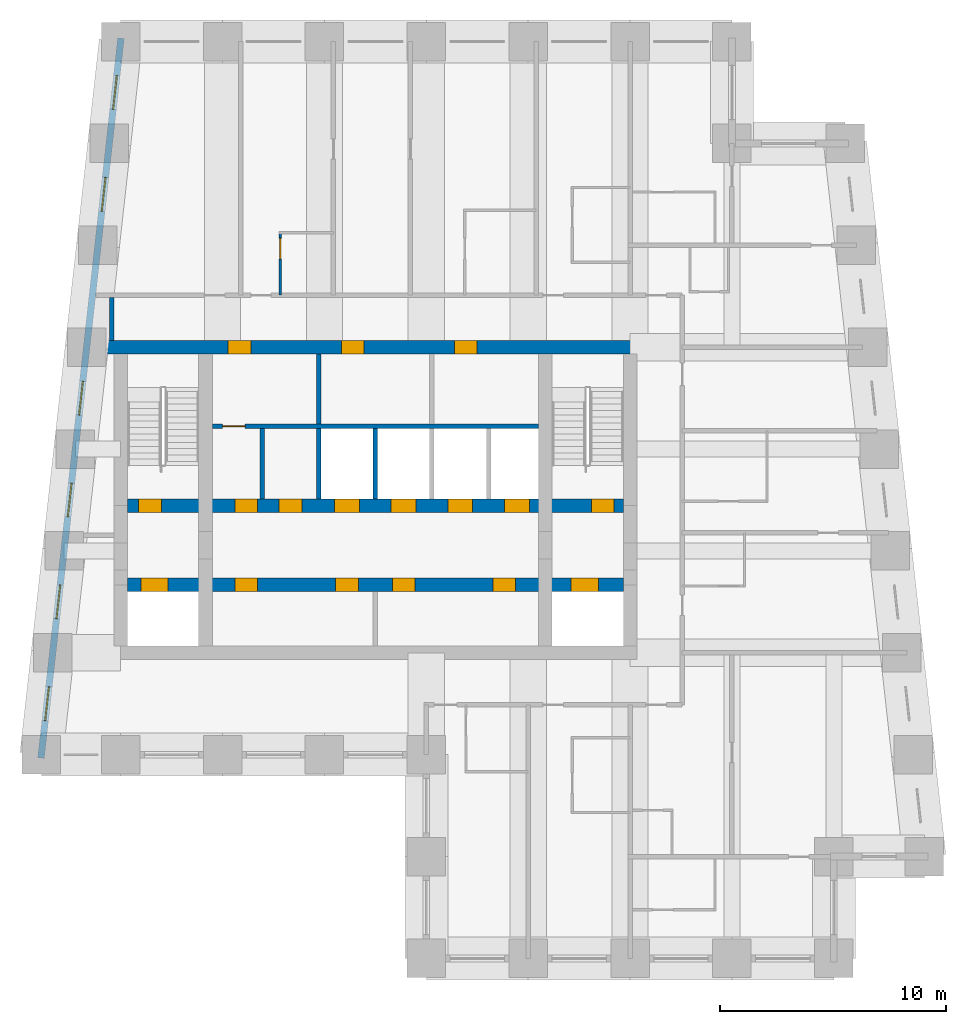
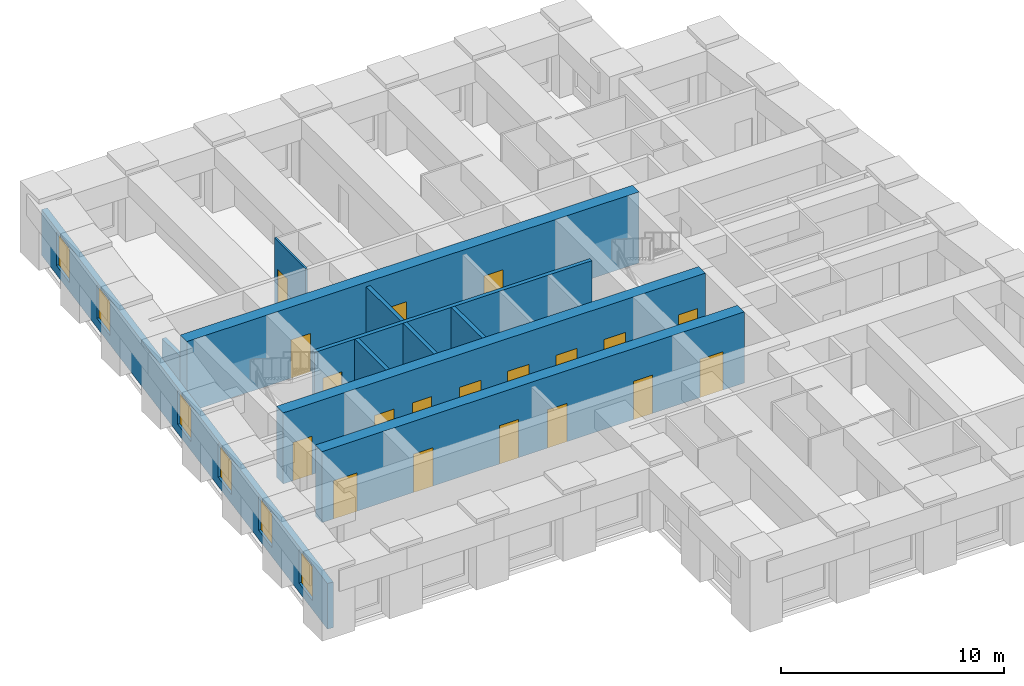
# One storey, part 3 of 7: 19 doors, 11 walls, 6 windows, 25 openings.
"""IFC4 building model written with IfcOpenShell, lengths in metres."""

from ifc_helpers import new_model, si_unit, direction, frame, frame_2d, origin, place, context, subcontext, project, spatial, rectangle, extrude, material, layer, layer_set, type_object, element, fill, save


model = new_model("IFC4")

# Units and contexts
model_context = context("Model", 3, precision=1e-05, world=origin(), true_north=direction((0.0, 1.0)))
body_context = subcontext(model_context, "Body", "Model", "MODEL_VIEW")
ifc_project = project(units=[si_unit("LENGTHUNIT", "METRE"), si_unit("AREAUNIT", "SQUARE_METRE"), si_unit("VOLUMEUNIT", "CUBIC_METRE"), si_unit("PLANEANGLEUNIT", "RADIAN"), si_unit("MASSUNIT", "GRAM", prefix="KILO")], contexts=[model_context])

# Site, building, storey
site_placement = place(None, origin())
site = spatial("IfcSite", under=ifc_project, at=site_placement, CompositionType="ELEMENT")
building_placement = place(site_placement, origin())
building = spatial("IfcBuilding", under=site, at=building_placement, Name="Kilele Tower Hotel", CompositionType="ELEMENT")
storey_placement = place(building_placement, frame((0.0, 0.0, 233.0)))
storey = spatial("IfcBuildingStorey", under=building, at=storey_placement, Name="L60", CompositionType="ELEMENT", Elevation=233.0)

# Wall, opening, door
ifc_material_1 = material(Name="Moisture-resistant board")
ifc_layer_1 = layer(ifc_material_1, 0.10009765625)
ifc_layer_set_1 = layer_set([ifc_layer_1], Name="Moisture-resistant board")
wall_type_1 = type_object("IfcWallType", Name="Bathroom partition 100", PredefinedType="PLUMBINGWALL", material=ifc_layer_set_1)
wall_1_placement = place(storey_placement, frame((20.550048828125, 29.300048828125, 0.0), z_axis=(0.0, 0.0, 1.0), x_axis=(0.0, 1.0, 0.0)))
wall_1 = element("IfcWall", 1, at=wall_1_placement, inside=storey, type_object=wall_type_1, Name="Bathroom partition 100 L60", PredefinedType="PLUMBINGWALL", context=body_context, shape_type="SweptSolid", body=[
    extrude(rectangle(XDim=2.800048828125, YDim=0.10009765625, at=frame_2d((1.39990234375, 0.0))), origin(), (0.0, 0.0, 1.0), 3.64990234375),
])
opening_1_placement = place(wall_1_placement, frame((1.60009765625, 0.0, 0.0)))
opening_1 = element("IfcOpeningElement", 2, at=opening_1_placement, cuts=wall_1, Name="Opening D2A", PredefinedType="OPENING", context=body_context, shape_type="SweptSolid", body=[
    extrude(rectangle(XDim=0.89990234375, YDim=2.10009765625, at=frame_2d((0.449951171875, 1.050048828125))), frame((0.0, 0.06005859375, 0.0), z_axis=(0.0, -1.0, 0.0), x_axis=(1.0, 0.0, 0.0)), (0.0, 0.0, 1.0), 0.1201171875),
])
ifc_material_2 = material(Name="Timber door leaf in hardwood frame", Category="wood")
door_type_1 = type_object("IfcDoorType", Name="Bathroom door 900", OperationType="SINGLE_SWING_LEFT", PredefinedType="DOOR", material=ifc_material_2)
door_1_placement = place(opening_1_placement, origin())
door_1 = element("IfcDoor", 3, at=door_1_placement, inside=storey, type_object=door_type_1, Name="Bathroom door 6008B", OperationType="SINGLE_SWING_LEFT", OverallHeight=2.10009765625, OverallWidth=0.89990234375, PredefinedType="DOOR", context=body_context, shape_type="SweptSolid", body=[
    extrude(rectangle(XDim=0.89990234375, YDim=2.10009765625, at=frame_2d((0.449951171875, 1.050048828125))), frame((0.0, 0.02490234375, 0.0), z_axis=(0.0, -1.0, 0.0), x_axis=(1.0, 0.0, 0.0)), (0.0, 0.0, 1.0), 0.050048828125),
])
fill(opening_1, door_1)

# Wall, openings, doors
ifc_material_3 = material(Name="Concrete C60/75", Category="concrete")
ifc_layer_2 = layer(ifc_material_3, 0.60009765625)
ifc_layer_set_2 = layer_set([ifc_layer_2], Name="Concrete C60/75")
wall_type_2 = type_object("IfcWallType", Name="Core wall 600 C60/75", PredefinedType="SHEAR", material=ifc_layer_set_2)
wall_2_placement = place(storey_placement, frame((36.300048828125, 27.0, 0.0), z_axis=(0.0, 0.0, 1.0), x_axis=(-1.0, 0.0, 0.0)))
wall_2 = element("IfcWall", 4, at=wall_2_placement, inside=storey, type_object=wall_type_2, Name="Core wall N L60", PredefinedType="SHEAR", context=body_context, shape_type="SweptSolid", body=[
    extrude(rectangle(XDim=23.449951171875, YDim=0.60009765625, at=frame_2d((11.72509765625, 0.0))), origin(), (0.0, 0.0, 1.0), 3.89990234375),
])
opening_2_placement = place(wall_2_placement, frame((17.050048828125, 0.0, 0.0)))
opening_2 = element("IfcOpeningElement", 5, at=opening_2_placement, cuts=wall_2, Name="Opening D12", PredefinedType="OPENING", context=body_context, shape_type="SweptSolid", body=[
    extrude(rectangle(XDim=1.0, YDim=2.10009765625, at=frame_2d((0.5, 1.050048828125))), frame((0.0, 0.31005859375, 0.0), z_axis=(0.0, -1.0, 0.0), x_axis=(1.0, 0.0, 0.0)), (0.0, 0.0, 1.0), 0.6201171875),
])
opening_3_placement = place(wall_2_placement, frame((12.050048828125, 0.0, 0.0)))
opening_3 = element("IfcOpeningElement", 6, at=opening_3_placement, cuts=wall_2, Name="Opening D6", PredefinedType="OPENING", context=body_context, shape_type="SweptSolid", body=[
    extrude(rectangle(XDim=1.0, YDim=2.10009765625, at=frame_2d((0.5, 1.050048828125))), frame((0.0, 0.31005859375, 0.0), z_axis=(0.0, -1.0, 0.0), x_axis=(1.0, 0.0, 0.0)), (0.0, 0.0, 1.0), 0.6201171875),
])
opening_4_placement = place(wall_2_placement, frame((7.050048828125, 0.0, 0.0)))
opening_4 = element("IfcOpeningElement", 7, at=opening_4_placement, cuts=wall_2, Name="Opening D6", PredefinedType="OPENING", context=body_context, shape_type="SweptSolid", body=[
    extrude(rectangle(XDim=1.0, YDim=2.10009765625, at=frame_2d((0.5, 1.050048828125))), frame((0.0, 0.31005859375, 0.0), z_axis=(0.0, -1.0, 0.0), x_axis=(1.0, 0.0, 0.0)), (0.0, 0.0, 1.0), 0.6201171875),
])
ifc_material_4 = material(Name="Timber door leaf in hardwood frame", Category="wood")
door_type_2 = type_object("IfcDoorType", Name="Core lobby door 1000", OperationType="SINGLE_SWING_LEFT", PredefinedType="DOOR", material=ifc_material_4)
door_2_placement = place(opening_2_placement, origin())
door_2 = element("IfcDoor", 8, at=door_2_placement, inside=storey, type_object=door_type_2, Name="North lobby door L60", OperationType="SINGLE_SWING_RIGHT", OverallHeight=2.10009765625, OverallWidth=1.0, PredefinedType="DOOR", context=body_context, shape_type="SweptSolid", body=[
    extrude(rectangle(XDim=1.0, YDim=2.10009765625, at=frame_2d((0.5, 1.050048828125))), frame((0.0, 0.2998046875, 0.0), z_axis=(0.0, -1.0, 0.0), x_axis=(1.0, 0.0, 0.0)), (0.0, 0.0, 1.0), 0.599609375),
])
fill(opening_2, door_2)
ifc_material_5 = material(Name="Timber door leaf in hardwood frame", Category="wood")
door_type_3 = type_object("IfcDoorType", Name="Riser door 1000", OperationType="SINGLE_SWING_LEFT", PredefinedType="DOOR", material=ifc_material_5)
door_3_placement = place(opening_3_placement, origin())
door_3 = element("IfcDoor", 9, at=door_3_placement, inside=storey, type_object=door_type_3, Name="IT and comms room door L60", OperationType="SINGLE_SWING_RIGHT", OverallHeight=2.10009765625, OverallWidth=1.0, PredefinedType="DOOR", context=body_context, shape_type="SweptSolid", body=[
    extrude(rectangle(XDim=1.0, YDim=2.10009765625, at=frame_2d((0.5, 1.050048828125))), frame((0.0, 0.2998046875, 0.0), z_axis=(0.0, -1.0, 0.0), x_axis=(1.0, 0.0, 0.0)), (0.0, 0.0, 1.0), 0.599609375),
])
fill(opening_3, door_3)
door_4_placement = place(opening_4_placement, origin())
door_4 = element("IfcDoor", 10, at=door_4_placement, inside=storey, type_object=door_type_3, Name="Electrical riser door L60", OperationType="SINGLE_SWING_RIGHT", OverallHeight=2.10009765625, OverallWidth=1.0, PredefinedType="DOOR", context=body_context, shape_type="SweptSolid", body=[
    extrude(rectangle(XDim=1.0, YDim=2.10009765625, at=frame_2d((0.5, 1.050048828125))), frame((0.0, 0.2998046875, 0.0), z_axis=(0.0, -1.0, 0.0), x_axis=(1.0, 0.0, 0.0)), (0.0, 0.0, 1.0), 0.599609375),
])
fill(opening_4, door_4)

wall_3_placement = place(storey_placement, frame((13.800048828125, 16.5, 0.0), z_axis=(0.0, 0.0, 1.0), x_axis=(1.0, 0.0, 0.0)))
wall_3 = element("IfcWall", 11, at=wall_3_placement, inside=storey, type_object=wall_type_2, Name="Core wall LS L60", PredefinedType="SHEAR", context=body_context, shape_type="SweptSolid", body=[
    extrude(rectangle(XDim=21.89990234375, YDim=0.60009765625, at=frame_2d((10.949951171875, 0.0))), origin(), (0.0, 0.0, 1.0), 3.89990234375),
])
opening_5_placement = place(wall_3_placement, frame((5.75, 0.0, 0.0), z_axis=(0.0, 0.0, 1.0), x_axis=(-1.0, 0.0, 0.0)))
opening_5 = element("IfcOpeningElement", 12, at=opening_5_placement, cuts=wall_3, Name="Opening D11", PredefinedType="OPENING", context=body_context, shape_type="SweptSolid", body=[
    extrude(rectangle(XDim=1.0, YDim=2.10009765625, at=frame_2d((0.5, 1.050048828125))), frame((0.0, 0.31005859375, 0.0), z_axis=(0.0, -1.0, 0.0), x_axis=(1.0, 0.0, 0.0)), (0.0, 0.0, 1.0), 0.6201171875),
])
opening_6_placement = place(wall_3_placement, frame((10.199951171875, 0.0, 0.0), z_axis=(0.0, 0.0, 1.0), x_axis=(-1.0, 0.0, 0.0)))
opening_6 = element("IfcOpeningElement", 13, at=opening_6_placement, cuts=wall_3, Name="Opening D11", PredefinedType="OPENING", context=body_context, shape_type="SweptSolid", body=[
    extrude(rectangle(XDim=1.0, YDim=2.10009765625, at=frame_2d((0.5, 1.050048828125))), frame((0.0, 0.31005859375, 0.0), z_axis=(0.0, -1.0, 0.0), x_axis=(1.0, 0.0, 0.0)), (0.0, 0.0, 1.0), 0.6201171875),
])
opening_7_placement = place(wall_3_placement, frame((12.699951171875, 0.0, 0.0), z_axis=(0.0, 0.0, 1.0), x_axis=(-1.0, 0.0, 0.0)))
opening_7 = element("IfcOpeningElement", 14, at=opening_7_placement, cuts=wall_3, Name="Opening D11", PredefinedType="OPENING", context=body_context, shape_type="SweptSolid", body=[
    extrude(rectangle(XDim=1.0, YDim=2.10009765625, at=frame_2d((0.5, 1.050048828125))), frame((0.0, 0.31005859375, 0.0), z_axis=(0.0, -1.0, 0.0), x_axis=(1.0, 0.0, 0.0)), (0.0, 0.0, 1.0), 0.6201171875),
])
opening_8_placement = place(wall_3_placement, frame((17.14990234375, 0.0, 0.0), z_axis=(0.0, 0.0, 1.0), x_axis=(-1.0, 0.0, 0.0)))
opening_8 = element("IfcOpeningElement", 15, at=opening_8_placement, cuts=wall_3, Name="Opening D11", PredefinedType="OPENING", context=body_context, shape_type="SweptSolid", body=[
    extrude(rectangle(XDim=1.0, YDim=2.10009765625, at=frame_2d((0.5, 1.050048828125))), frame((0.0, 0.31005859375, 0.0), z_axis=(0.0, -1.0, 0.0), x_axis=(1.0, 0.0, 0.0)), (0.0, 0.0, 1.0), 0.6201171875),
])
opening_9_placement = place(wall_3_placement, frame((0.60009765625, 0.0, 0.0)))
opening_9 = element("IfcOpeningElement", 16, at=opening_9_placement, cuts=wall_3, Name="Opening LD2", PredefinedType="OPENING", context=body_context, shape_type="SweptSolid", body=[
    extrude(rectangle(XDim=1.199951171875, YDim=2.10009765625, at=frame_2d((0.60009765625, 1.050048828125))), frame((0.0, 0.31005859375, 0.0), z_axis=(0.0, -1.0, 0.0), x_axis=(1.0, 0.0, 0.0)), (0.0, 0.0, 1.0), 0.6201171875),
])
opening_10_placement = place(wall_3_placement, frame((19.60009765625, 0.0, 0.0)))
opening_10 = element("IfcOpeningElement", 17, at=opening_10_placement, cuts=wall_3, Name="Opening LD2", PredefinedType="OPENING", context=body_context, shape_type="SweptSolid", body=[
    extrude(rectangle(XDim=1.199951171875, YDim=2.10009765625, at=frame_2d((0.60009765625, 1.050048828125))), frame((0.0, 0.31005859375, 0.0), z_axis=(0.0, -1.0, 0.0), x_axis=(1.0, 0.0, 0.0)), (0.0, 0.0, 1.0), 0.6201171875),
])
ifc_material_6 = material(Name="Timber door leaf in hardwood frame", Category="wood")
door_type_4 = type_object("IfcDoorType", Name="Core store door 1000", OperationType="SINGLE_SWING_LEFT", PredefinedType="DOOR", material=ifc_material_6)
door_5_placement = place(opening_5_placement, origin())
door_5 = element("IfcDoor", 18, at=door_5_placement, inside=storey, type_object=door_type_4, Name="Core room door L1 L60", OperationType="SINGLE_SWING_RIGHT", OverallHeight=2.10009765625, OverallWidth=1.0, PredefinedType="DOOR", context=body_context, shape_type="SweptSolid", body=[
    extrude(rectangle(XDim=1.0, YDim=2.10009765625, at=frame_2d((0.5, 1.050048828125))), frame((0.0, 0.2998046875, 0.0), z_axis=(0.0, -1.0, 0.0), x_axis=(1.0, 0.0, 0.0)), (0.0, 0.0, 1.0), 0.599609375),
])
fill(opening_5, door_5)
door_6_placement = place(opening_6_placement, origin())
door_6 = element("IfcDoor", 19, at=door_6_placement, inside=storey, type_object=door_type_4, Name="Core room door L3 L60", OperationType="SINGLE_SWING_LEFT", OverallHeight=2.10009765625, OverallWidth=1.0, PredefinedType="DOOR", context=body_context, shape_type="SweptSolid", body=[
    extrude(rectangle(XDim=1.0, YDim=2.10009765625, at=frame_2d((0.5, 1.050048828125))), frame((0.0, 0.2998046875, 0.0), z_axis=(0.0, -1.0, 0.0), x_axis=(1.0, 0.0, 0.0)), (0.0, 0.0, 1.0), 0.599609375),
])
fill(opening_6, door_6)
door_7_placement = place(opening_7_placement, origin())
door_7 = element("IfcDoor", 20, at=door_7_placement, inside=storey, type_object=door_type_4, Name="Core room door M1 L60", OperationType="SINGLE_SWING_RIGHT", OverallHeight=2.10009765625, OverallWidth=1.0, PredefinedType="DOOR", context=body_context, shape_type="SweptSolid", body=[
    extrude(rectangle(XDim=1.0, YDim=2.10009765625, at=frame_2d((0.5, 1.050048828125))), frame((0.0, 0.2998046875, 0.0), z_axis=(0.0, -1.0, 0.0), x_axis=(1.0, 0.0, 0.0)), (0.0, 0.0, 1.0), 0.599609375),
])
fill(opening_7, door_7)
door_8_placement = place(opening_8_placement, origin())
door_8 = element("IfcDoor", 21, at=door_8_placement, inside=storey, type_object=door_type_4, Name="Core room door M3 L60", OperationType="SINGLE_SWING_LEFT", OverallHeight=2.10009765625, OverallWidth=1.0, PredefinedType="DOOR", context=body_context, shape_type="SweptSolid", body=[
    extrude(rectangle(XDim=1.0, YDim=2.10009765625, at=frame_2d((0.5, 1.050048828125))), frame((0.0, 0.2998046875, 0.0), z_axis=(0.0, -1.0, 0.0), x_axis=(1.0, 0.0, 0.0)), (0.0, 0.0, 1.0), 0.599609375),
])
fill(opening_8, door_8)
ifc_material_7 = material(Name="Steel lift landing door", Category="steel")
door_type_5 = type_object("IfcDoorType", Name="Firefighting lift landing door 1200", OperationType="SLIDING_TO_LEFT", PredefinedType="DOOR", material=ifc_material_7)
door_9_placement = place(opening_9_placement, origin())
door_9 = element("IfcDoor", 22, at=door_9_placement, inside=storey, type_object=door_type_5, Name="Landing door FFW L60", OperationType="SLIDING_TO_LEFT", OverallHeight=2.10009765625, OverallWidth=1.199951171875, PredefinedType="DOOR", context=body_context, shape_type="SweptSolid", body=[
    extrude(rectangle(XDim=1.199951171875, YDim=2.10009765625, at=frame_2d((0.60009765625, 1.050048828125))), frame((0.0, 0.2998046875, 0.0), z_axis=(0.0, -1.0, 0.0), x_axis=(1.0, 0.0, 0.0)), (0.0, 0.0, 1.0), 0.599609375),
])
fill(opening_9, door_9)
door_10_placement = place(opening_10_placement, origin())
door_10 = element("IfcDoor", 23, at=door_10_placement, inside=storey, type_object=door_type_5, Name="Landing door FFE L60", OperationType="SLIDING_TO_LEFT", OverallHeight=2.10009765625, OverallWidth=1.199951171875, PredefinedType="DOOR", context=body_context, shape_type="SweptSolid", body=[
    extrude(rectangle(XDim=1.199951171875, YDim=2.10009765625, at=frame_2d((0.60009765625, 1.050048828125))), frame((0.0, 0.2998046875, 0.0), z_axis=(0.0, -1.0, 0.0), x_axis=(1.0, 0.0, 0.0)), (0.0, 0.0, 1.0), 0.599609375),
])
fill(opening_10, door_10)

wall_4_placement = place(storey_placement, frame((13.800048828125, 20.0, 0.0), z_axis=(0.0, 0.0, 1.0), x_axis=(1.0, 0.0, 0.0)))
wall_4 = element("IfcWall", 24, at=wall_4_placement, inside=storey, type_object=wall_type_2, Name="Core wall LN L60", PredefinedType="SHEAR", context=body_context, shape_type="SweptSolid", body=[
    extrude(rectangle(XDim=21.89990234375, YDim=0.60009765625, at=frame_2d((10.949951171875, 0.0))), origin(), (0.0, 0.0, 1.0), 3.89990234375),
])
opening_11_placement = place(wall_4_placement, frame((0.5, 0.0, 0.0)))
opening_11 = element("IfcOpeningElement", 25, at=opening_11_placement, cuts=wall_4, Name="Opening D5", PredefinedType="OPENING", context=body_context, shape_type="SweptSolid", body=[
    extrude(rectangle(XDim=1.0, YDim=2.10009765625, at=frame_2d((0.5, 1.050048828125))), frame((0.0, 0.31005859375, 0.0), z_axis=(0.0, -1.0, 0.0), x_axis=(1.0, 0.0, 0.0)), (0.0, 0.0, 1.0), 0.6201171875),
])
opening_12_placement = place(wall_4_placement, frame((20.5, 0.0, 0.0)))
opening_12 = element("IfcOpeningElement", 26, at=opening_12_placement, cuts=wall_4, Name="Opening D5", PredefinedType="OPENING", context=body_context, shape_type="SweptSolid", body=[
    extrude(rectangle(XDim=1.0, YDim=2.10009765625, at=frame_2d((0.5, 1.050048828125))), frame((0.0, 0.31005859375, 0.0), z_axis=(0.0, -1.0, 0.0), x_axis=(1.0, 0.0, 0.0)), (0.0, 0.0, 1.0), 0.6201171875),
])
opening_13_placement = place(wall_4_placement, frame((9.14990234375, 0.0, 0.0)))
opening_13 = element("IfcOpeningElement", 27, at=opening_13_placement, cuts=wall_4, Name="Opening LD1", PredefinedType="OPENING", context=body_context, shape_type="SweptSolid", body=[
    extrude(rectangle(XDim=1.10009765625, YDim=2.10009765625, at=frame_2d((0.550048828125, 1.050048828125))), frame((0.0, 0.31005859375, 0.0), z_axis=(0.0, -1.0, 0.0), x_axis=(1.0, 0.0, 0.0)), (0.0, 0.0, 1.0), 0.6201171875),
])
opening_14_placement = place(wall_4_placement, frame((11.64990234375, 0.0, 0.0)))
opening_14 = element("IfcOpeningElement", 28, at=opening_14_placement, cuts=wall_4, Name="Opening LD1", PredefinedType="OPENING", context=body_context, shape_type="SweptSolid", body=[
    extrude(rectangle(XDim=1.10009765625, YDim=2.10009765625, at=frame_2d((0.550048828125, 1.050048828125))), frame((0.0, 0.31005859375, 0.0), z_axis=(0.0, -1.0, 0.0), x_axis=(1.0, 0.0, 0.0)), (0.0, 0.0, 1.0), 0.6201171875),
])
opening_15_placement = place(wall_4_placement, frame((14.14990234375, 0.0, 0.0)))
opening_15 = element("IfcOpeningElement", 29, at=opening_15_placement, cuts=wall_4, Name="Opening LD1", PredefinedType="OPENING", context=body_context, shape_type="SweptSolid", body=[
    extrude(rectangle(XDim=1.10009765625, YDim=2.10009765625, at=frame_2d((0.550048828125, 1.050048828125))), frame((0.0, 0.31005859375, 0.0), z_axis=(0.0, -1.0, 0.0), x_axis=(1.0, 0.0, 0.0)), (0.0, 0.0, 1.0), 0.6201171875),
])
opening_16_placement = place(wall_4_placement, frame((16.64990234375, 0.0, 0.0)))
opening_16 = element("IfcOpeningElement", 30, at=opening_16_placement, cuts=wall_4, Name="Opening LD1", PredefinedType="OPENING", context=body_context, shape_type="SweptSolid", body=[
    extrude(rectangle(XDim=1.10009765625, YDim=2.10009765625, at=frame_2d((0.550048828125, 1.050048828125))), frame((0.0, 0.31005859375, 0.0), z_axis=(0.0, -1.0, 0.0), x_axis=(1.0, 0.0, 0.0)), (0.0, 0.0, 1.0), 0.6201171875),
])
opening_17_placement = place(wall_4_placement, frame((5.75, 0.0, 0.0), z_axis=(0.0, 0.0, 1.0), x_axis=(-1.0, 0.0, 0.0)))
opening_17 = element("IfcOpeningElement", 31, at=opening_17_placement, cuts=wall_4, Name="Opening D12", PredefinedType="OPENING", context=body_context, shape_type="SweptSolid", body=[
    extrude(rectangle(XDim=1.0, YDim=2.10009765625, at=frame_2d((0.5, 1.050048828125))), frame((0.0, 0.31005859375, 0.0), z_axis=(0.0, -1.0, 0.0), x_axis=(1.0, 0.0, 0.0)), (0.0, 0.0, 1.0), 0.6201171875),
])
opening_18_placement = place(wall_4_placement, frame((6.699951171875, 0.0, 0.0)))
opening_18 = element("IfcOpeningElement", 32, at=opening_18_placement, cuts=wall_4, Name="Opening D11", PredefinedType="OPENING", context=body_context, shape_type="SweptSolid", body=[
    extrude(rectangle(XDim=1.0, YDim=2.10009765625, at=frame_2d((0.5, 1.050048828125))), frame((0.0, 0.31005859375, 0.0), z_axis=(0.0, -1.0, 0.0), x_axis=(1.0, 0.0, 0.0)), (0.0, 0.0, 1.0), 0.6201171875),
])
door_11_placement = place(opening_17_placement, origin())
door_11 = element("IfcDoor", 33, at=door_11_placement, inside=storey, type_object=door_type_2, Name="Core passage door L60", OperationType="SINGLE_SWING_RIGHT", OverallHeight=2.10009765625, OverallWidth=1.0, PredefinedType="DOOR", context=body_context, shape_type="SweptSolid", body=[
    extrude(rectangle(XDim=1.0, YDim=2.10009765625, at=frame_2d((0.5, 1.050048828125))), frame((0.0, 0.2998046875, 0.0), z_axis=(0.0, -1.0, 0.0), x_axis=(1.0, 0.0, 0.0)), (0.0, 0.0, 1.0), 0.599609375),
])
fill(opening_17, door_11)
door_12_placement = place(opening_18_placement, origin())
door_12 = element("IfcDoor", 34, at=door_12_placement, inside=storey, type_object=door_type_4, Name="Core room door S2 L60", OperationType="SINGLE_SWING_LEFT", OverallHeight=2.10009765625, OverallWidth=1.0, PredefinedType="DOOR", context=body_context, shape_type="SweptSolid", body=[
    extrude(rectangle(XDim=1.0, YDim=2.10009765625, at=frame_2d((0.5, 1.050048828125))), frame((0.0, 0.2998046875, 0.0), z_axis=(0.0, -1.0, 0.0), x_axis=(1.0, 0.0, 0.0)), (0.0, 0.0, 1.0), 0.599609375),
])
fill(opening_18, door_12)
ifc_material_8 = material(Name="Steel lift landing door", Category="steel")
door_type_6 = type_object("IfcDoorType", Name="Lift landing door 1100", OperationType="SLIDING_TO_LEFT", PredefinedType="DOOR", material=ifc_material_8)
door_13_placement = place(opening_13_placement, origin())
door_13 = element("IfcDoor", 35, at=door_13_placement, inside=storey, type_object=door_type_6, Name="Landing door H1 L60", OperationType="SLIDING_TO_LEFT", OverallHeight=2.10009765625, OverallWidth=1.10009765625, PredefinedType="DOOR", context=body_context, shape_type="SweptSolid", body=[
    extrude(rectangle(XDim=1.10009765625, YDim=2.10009765625, at=frame_2d((0.550048828125, 1.050048828125))), frame((0.0, 0.2998046875, 0.0), z_axis=(0.0, -1.0, 0.0), x_axis=(1.0, 0.0, 0.0)), (0.0, 0.0, 1.0), 0.599609375),
])
fill(opening_13, door_13)
door_14_placement = place(opening_14_placement, origin())
door_14 = element("IfcDoor", 36, at=door_14_placement, inside=storey, type_object=door_type_6, Name="Landing door H2 L60", OperationType="SLIDING_TO_LEFT", OverallHeight=2.10009765625, OverallWidth=1.10009765625, PredefinedType="DOOR", context=body_context, shape_type="SweptSolid", body=[
    extrude(rectangle(XDim=1.10009765625, YDim=2.10009765625, at=frame_2d((0.550048828125, 1.050048828125))), frame((0.0, 0.2998046875, 0.0), z_axis=(0.0, -1.0, 0.0), x_axis=(1.0, 0.0, 0.0)), (0.0, 0.0, 1.0), 0.599609375),
])
fill(opening_14, door_14)
door_15_placement = place(opening_15_placement, origin())
door_15 = element("IfcDoor", 37, at=door_15_placement, inside=storey, type_object=door_type_6, Name="Landing door H3 L60", OperationType="SLIDING_TO_LEFT", OverallHeight=2.10009765625, OverallWidth=1.10009765625, PredefinedType="DOOR", context=body_context, shape_type="SweptSolid", body=[
    extrude(rectangle(XDim=1.10009765625, YDim=2.10009765625, at=frame_2d((0.550048828125, 1.050048828125))), frame((0.0, 0.2998046875, 0.0), z_axis=(0.0, -1.0, 0.0), x_axis=(1.0, 0.0, 0.0)), (0.0, 0.0, 1.0), 0.599609375),
])
fill(opening_15, door_15)
door_16_placement = place(opening_16_placement, origin())
door_16 = element("IfcDoor", 38, at=door_16_placement, inside=storey, type_object=door_type_6, Name="Landing door G1 L60", OperationType="SLIDING_TO_LEFT", OverallHeight=2.10009765625, OverallWidth=1.10009765625, PredefinedType="DOOR", context=body_context, shape_type="SweptSolid", body=[
    extrude(rectangle(XDim=1.10009765625, YDim=2.10009765625, at=frame_2d((0.550048828125, 1.050048828125))), frame((0.0, 0.2998046875, 0.0), z_axis=(0.0, -1.0, 0.0), x_axis=(1.0, 0.0, 0.0)), (0.0, 0.0, 1.0), 0.599609375),
])
fill(opening_16, door_16)
ifc_material_9 = material(Name="Timber door leaf in hardwood frame", Category="wood")
door_type_7 = type_object("IfcDoorType", Name="Stair door 1000", OperationType="SINGLE_SWING_LEFT", PredefinedType="DOOR", material=ifc_material_9)
door_17_placement = place(opening_11_placement, origin())
door_17 = element("IfcDoor", 39, at=door_17_placement, inside=storey, type_object=door_type_7, Name="Stair 1 door L60", OperationType="SINGLE_SWING_LEFT", OverallHeight=2.10009765625, OverallWidth=1.0, PredefinedType="DOOR", context=body_context, shape_type="SweptSolid", body=[
    extrude(rectangle(XDim=1.0, YDim=2.10009765625, at=frame_2d((0.5, 1.050048828125))), frame((0.0, 0.2998046875, 0.0), z_axis=(0.0, -1.0, 0.0), x_axis=(1.0, 0.0, 0.0)), (0.0, 0.0, 1.0), 0.599609375),
])
fill(opening_11, door_17)
door_18_placement = place(opening_12_placement, origin())
door_18 = element("IfcDoor", 40, at=door_18_placement, inside=storey, type_object=door_type_7, Name="Stair 2 door L60", OperationType="SINGLE_SWING_RIGHT", OverallHeight=2.10009765625, OverallWidth=1.0, PredefinedType="DOOR", context=body_context, shape_type="SweptSolid", body=[
    extrude(rectangle(XDim=1.0, YDim=2.10009765625, at=frame_2d((0.5, 1.050048828125))), frame((0.0, 0.2998046875, 0.0), z_axis=(0.0, -1.0, 0.0), x_axis=(1.0, 0.0, 0.0)), (0.0, 0.0, 1.0), 0.599609375),
])
fill(opening_12, door_18)

# Wall
ifc_material_10 = material(Name="Blockwork, plastered both sides", Category="masonry")
ifc_layer_3 = layer(ifc_material_10, 0.199951171875)
ifc_layer_set_3 = layer_set([ifc_layer_3], Name="Blockwork, plastered both sides")
wall_type_3 = type_object("IfcWallType", Name="Partition wall 200", PredefinedType="PARTITIONING", material=ifc_layer_set_3)
wall_5_placement = place(storey_placement, frame((13.10009765625, 27.300048828125, 0.0), z_axis=(0.0, 0.0, 1.0), x_axis=(0.0, 1.0, 0.0)))
element("IfcWall", 41, at=wall_5_placement, inside=storey, type_object=wall_type_3, Name="Partition wall 200 L60", PredefinedType="PARTITIONING", context=body_context, shape_type="SweptSolid", body=[
    extrude(rectangle(XDim=1.89990234375, YDim=0.199951171875, at=frame_2d((0.949951171875, 0.0))), origin(), (0.0, 0.0, 1.0), 2.5),
])

# Wall, openings, windows
ifc_material_11 = material(Name="Concrete C40/50 precast", Category="concrete")
ifc_layer_4 = layer(ifc_material_11, 0.260009765625, Name="Precast backing", Category="LoadBearing")
ifc_material_12 = material(Name="Reconstituted stone finish", Category="masonry")
ifc_layer_5 = layer(ifc_material_12, 0.0400390625, Name="Face mix", Category="Finish")
ifc_layer_set_4 = layer_set([ifc_layer_4, ifc_layer_5], Name="Precast concrete C40/50, reconstituted stone finish")
wall_type_4 = type_object("IfcWallType", Name="Precast stone facade wall 300", PredefinedType="STANDARD", material=ifc_layer_set_4)
wall_6_placement = place(storey_placement, frame((13.5166015625, 40.649169921875, 0.0), z_axis=(0.0, 0.0, 1.0), x_axis=(-0.110433201132, -0.993883548555, 0.0)))
wall_6 = element("IfcWall", 42, at=wall_6_placement, inside=storey, type_object=wall_type_4, Name="Facade wall L60 edge 10", PredefinedType="STANDARD", context=body_context, shape_type="SweptSolid", body=[
    extrude(rectangle(XDim=31.994140625, YDim=0.300048828125, at=frame_2d((15.9970703125, 0.0))), origin(), (0.0, 0.0, 1.0), 2.5),
])
opening_19_placement = place(wall_6_placement, frame((1.6640625, 0.0, 0.5)))
opening_19 = element("IfcOpeningElement", 43, at=opening_19_placement, cuts=wall_6, Name="Opening W4", PredefinedType="OPENING", context=body_context, shape_type="SweptSolid", body=[
    extrude(rectangle(XDim=1.5, YDim=1.85009765625, at=frame_2d((0.75, 0.925048828125))), frame((0.0, 0.159912109375, 0.0), z_axis=(0.0, -1.0, 0.0), x_axis=(1.0, 0.0, 0.0)), (0.0, 0.0, 1.0), 0.320068359375),
])
opening_20_placement = place(wall_6_placement, frame((6.19189453125, 0.0, 0.5)))
opening_20 = element("IfcOpeningElement", 44, at=opening_20_placement, cuts=wall_6, Name="Opening W4", PredefinedType="OPENING", context=body_context, shape_type="SweptSolid", body=[
    extrude(rectangle(XDim=1.5, YDim=1.85009765625, at=frame_2d((0.75, 0.925048828125))), frame((0.0, 0.159912109375, 0.0), z_axis=(0.0, -1.0, 0.0), x_axis=(1.0, 0.0, 0.0)), (0.0, 0.0, 1.0), 0.320068359375),
])
opening_21_placement = place(wall_6_placement, frame((15.2470703125, 0.0, 0.5)))
opening_21 = element("IfcOpeningElement", 45, at=opening_21_placement, cuts=wall_6, Name="Opening W4", PredefinedType="OPENING", context=body_context, shape_type="SweptSolid", body=[
    extrude(rectangle(XDim=1.5, YDim=1.85009765625, at=frame_2d((0.75, 0.925048828125))), frame((0.0, 0.159912109375, 0.0), z_axis=(0.0, -1.0, 0.0), x_axis=(1.0, 0.0, 0.0)), (0.0, 0.0, 1.0), 0.320068359375),
])
opening_22_placement = place(wall_6_placement, frame((19.77490234375, 0.0, 0.5)))
opening_22 = element("IfcOpeningElement", 46, at=opening_22_placement, cuts=wall_6, Name="Opening W4", PredefinedType="OPENING", context=body_context, shape_type="SweptSolid", body=[
    extrude(rectangle(XDim=1.5, YDim=1.85009765625, at=frame_2d((0.75, 0.925048828125))), frame((0.0, 0.159912109375, 0.0), z_axis=(0.0, -1.0, 0.0), x_axis=(1.0, 0.0, 0.0)), (0.0, 0.0, 1.0), 0.320068359375),
])
opening_23_placement = place(wall_6_placement, frame((24.302001953125, 0.0, 0.5)))
opening_23 = element("IfcOpeningElement", 47, at=opening_23_placement, cuts=wall_6, Name="Opening W4", PredefinedType="OPENING", context=body_context, shape_type="SweptSolid", body=[
    extrude(rectangle(XDim=1.5, YDim=1.85009765625, at=frame_2d((0.75, 0.925048828125))), frame((0.0, 0.159912109375, 0.0), z_axis=(0.0, -1.0, 0.0), x_axis=(1.0, 0.0, 0.0)), (0.0, 0.0, 1.0), 0.320068359375),
])
opening_24_placement = place(wall_6_placement, frame((28.830078125, 0.0, 0.5)))
opening_24 = element("IfcOpeningElement", 48, at=opening_24_placement, cuts=wall_6, Name="Opening W4", PredefinedType="OPENING", context=body_context, shape_type="SweptSolid", body=[
    extrude(rectangle(XDim=1.5, YDim=1.85009765625, at=frame_2d((0.75, 0.925048828125))), frame((0.0, 0.159912109375, 0.0), z_axis=(0.0, -1.0, 0.0), x_axis=(1.0, 0.0, 0.0)), (0.0, 0.0, 1.0), 0.320068359375),
])
ifc_material_13 = material(Name="Aluminium frame, clear double glazing", Category="aluminium")
window_type = type_object("IfcWindowType", Name="Window W4 1500 x 1850", PartitioningType="SINGLE_PANEL", PredefinedType="WINDOW", material=ifc_material_13)
window_1_placement = place(opening_19_placement, origin())
window_1 = element("IfcWindow", 49, at=window_1_placement, inside=storey, type_object=window_type, Name="Window L60", OverallHeight=1.85009765625, OverallWidth=1.5, PartitioningType="SINGLE_PANEL", PredefinedType="WINDOW", context=body_context, shape_type="SweptSolid", body=[
    extrude(rectangle(XDim=1.5, YDim=1.85009765625, at=frame_2d((0.75, 0.925048828125))), frame((0.0, 0.030029296875, 0.0), z_axis=(0.0, -1.0, 0.0), x_axis=(1.0, 0.0, 0.0)), (0.0, 0.0, 1.0), 0.06005859375),
])
fill(opening_19, window_1)
window_2_placement = place(opening_20_placement, origin())
window_2 = element("IfcWindow", 50, at=window_2_placement, inside=storey, type_object=window_type, Name="Window L60", OverallHeight=1.85009765625, OverallWidth=1.5, PartitioningType="SINGLE_PANEL", PredefinedType="WINDOW", context=body_context, shape_type="SweptSolid", body=[
    extrude(rectangle(XDim=1.5, YDim=1.85009765625, at=frame_2d((0.75, 0.925048828125))), frame((0.0, 0.030029296875, 0.0), z_axis=(0.0, -1.0, 0.0), x_axis=(1.0, 0.0, 0.0)), (0.0, 0.0, 1.0), 0.06005859375),
])
fill(opening_20, window_2)
window_3_placement = place(opening_21_placement, origin())
window_3 = element("IfcWindow", 51, at=window_3_placement, inside=storey, type_object=window_type, Name="Window L60", OverallHeight=1.85009765625, OverallWidth=1.5, PartitioningType="SINGLE_PANEL", PredefinedType="WINDOW", context=body_context, shape_type="SweptSolid", body=[
    extrude(rectangle(XDim=1.5, YDim=1.85009765625, at=frame_2d((0.75, 0.925048828125))), frame((0.0, 0.030029296875, 0.0), z_axis=(0.0, -1.0, 0.0), x_axis=(1.0, 0.0, 0.0)), (0.0, 0.0, 1.0), 0.06005859375),
])
fill(opening_21, window_3)
window_4_placement = place(opening_22_placement, origin())
window_4 = element("IfcWindow", 52, at=window_4_placement, inside=storey, type_object=window_type, Name="Window L60", OverallHeight=1.85009765625, OverallWidth=1.5, PartitioningType="SINGLE_PANEL", PredefinedType="WINDOW", context=body_context, shape_type="SweptSolid", body=[
    extrude(rectangle(XDim=1.5, YDim=1.85009765625, at=frame_2d((0.75, 0.925048828125))), frame((0.0, 0.030029296875, 0.0), z_axis=(0.0, -1.0, 0.0), x_axis=(1.0, 0.0, 0.0)), (0.0, 0.0, 1.0), 0.06005859375),
])
fill(opening_22, window_4)
window_5_placement = place(opening_23_placement, origin())
window_5 = element("IfcWindow", 53, at=window_5_placement, inside=storey, type_object=window_type, Name="Window L60", OverallHeight=1.85009765625, OverallWidth=1.5, PartitioningType="SINGLE_PANEL", PredefinedType="WINDOW", context=body_context, shape_type="SweptSolid", body=[
    extrude(rectangle(XDim=1.5, YDim=1.85009765625, at=frame_2d((0.75, 0.925048828125))), frame((0.0, 0.030029296875, 0.0), z_axis=(0.0, -1.0, 0.0), x_axis=(1.0, 0.0, 0.0)), (0.0, 0.0, 1.0), 0.06005859375),
])
fill(opening_23, window_5)
window_6_placement = place(opening_24_placement, origin())
window_6 = element("IfcWindow", 54, at=window_6_placement, inside=storey, type_object=window_type, Name="Window L60", OverallHeight=1.85009765625, OverallWidth=1.5, PartitioningType="SINGLE_PANEL", PredefinedType="WINDOW", context=body_context, shape_type="SweptSolid", body=[
    extrude(rectangle(XDim=1.5, YDim=1.85009765625, at=frame_2d((0.75, 0.925048828125))), frame((0.0, 0.030029296875, 0.0), z_axis=(0.0, -1.0, 0.0), x_axis=(1.0, 0.0, 0.0)), (0.0, 0.0, 1.0), 0.06005859375),
])
fill(opening_24, window_6)

# Walls
ifc_material_14 = material(Name="Blockwork, fire-rated", Category="masonry")
ifc_layer_6 = layer(ifc_material_14, 0.199951171875)
ifc_layer_set_5 = layer_set([ifc_layer_6], Name="Blockwork, fire-rated")
wall_type_5 = type_object("IfcWallType", Name="Shaft wall 200", PredefinedType="PARTITIONING", material=ifc_layer_set_5)
for number, where, z_axis, x_axis, name in (
    (55, (19.75, 20.300048828125, 0.0), (0.0, 0.0, 1.0), (0.0, 1.0, 0.0), "Shaft wall 200 L60"),
    (56, (22.25, 20.300048828125, 0.0), (0.0, 0.0, 1.0), (0.0, 1.0, 0.0), "Shaft wall 200 L60"),
    (57, (24.75, 20.300048828125, 0.0), (0.0, 0.0, 1.0), (0.0, 1.0, 0.0), "Shaft wall 200 L60"),
):
    element("IfcWall", number, at=place(storey_placement, frame(where, z_axis=z_axis, x_axis=x_axis)), inside=storey, type_object=wall_type_5, Name=name, PredefinedType="PARTITIONING", context=body_context, shape_type="SweptSolid", body=[
        extrude(rectangle(XDim=3.099853515625, YDim=0.199951171875, at=frame_2d((1.5498046875, 0.0))), origin(), (0.0, 0.0, 1.0), 3.64990234375),
    ])

# Wall, opening, door
wall_7_placement = place(storey_placement, frame((17.550048828125, 23.5, 0.0), z_axis=(0.0, 0.0, 1.0), x_axis=(1.0, 0.0, 0.0)))
wall_7 = element("IfcWall", 58, at=wall_7_placement, inside=storey, type_object=wall_type_5, Name="Shaft wall 200 L60", PredefinedType="PARTITIONING", context=body_context, shape_type="SweptSolid", body=[
    extrude(rectangle(XDim=14.39990234375, YDim=0.199951171875, at=frame_2d((7.199951171875, 0.0))), origin(), (0.0, 0.0, 1.0), 3.64990234375),
])
opening_25_placement = place(wall_7_placement, frame((0.449951171875, 0.0, 0.0)))
opening_25 = element("IfcOpeningElement", 59, at=opening_25_placement, cuts=wall_7, Name="Opening D12", PredefinedType="OPENING", context=body_context, shape_type="SweptSolid", body=[
    extrude(rectangle(XDim=1.0, YDim=2.10009765625, at=frame_2d((0.5, 1.050048828125))), frame((0.0, 0.10986328125, 0.0), z_axis=(0.0, -1.0, 0.0), x_axis=(1.0, 0.0, 0.0)), (0.0, 0.0, 1.0), 0.219970703125),
])
door_19_placement = place(opening_25_placement, origin())
door_19 = element("IfcDoor", 60, at=door_19_placement, inside=storey, type_object=door_type_2, Name="Core passage door", OperationType="SINGLE_SWING_LEFT", OverallHeight=2.10009765625, OverallWidth=1.0, PredefinedType="DOOR", context=body_context, shape_type="SweptSolid", body=[
    extrude(rectangle(XDim=1.0, YDim=2.10009765625, at=frame_2d((0.5, 1.050048828125))), frame((0.0, 0.02490234375, 0.0), z_axis=(0.0, -1.0, 0.0), x_axis=(1.0, 0.0, 0.0)), (0.0, 0.0, 1.0), 0.050048828125),
])
fill(opening_25, door_19)

# Wall
wall_8_placement = place(storey_placement, frame((22.25, 23.60009765625, 0.0), z_axis=(0.0, 0.0, 1.0), x_axis=(0.0, 1.0, 0.0)))
element("IfcWall", 61, at=wall_8_placement, inside=storey, type_object=wall_type_5, Name="Shaft wall 200 L60", PredefinedType="PARTITIONING", context=body_context, shape_type="SweptSolid", body=[
    extrude(rectangle(XDim=3.099853515625, YDim=0.199951171875, at=frame_2d((1.5498046875, 0.0))), origin(), (0.0, 0.0, 1.0), 3.64990234375),
])

save(model, "model.ifc")
